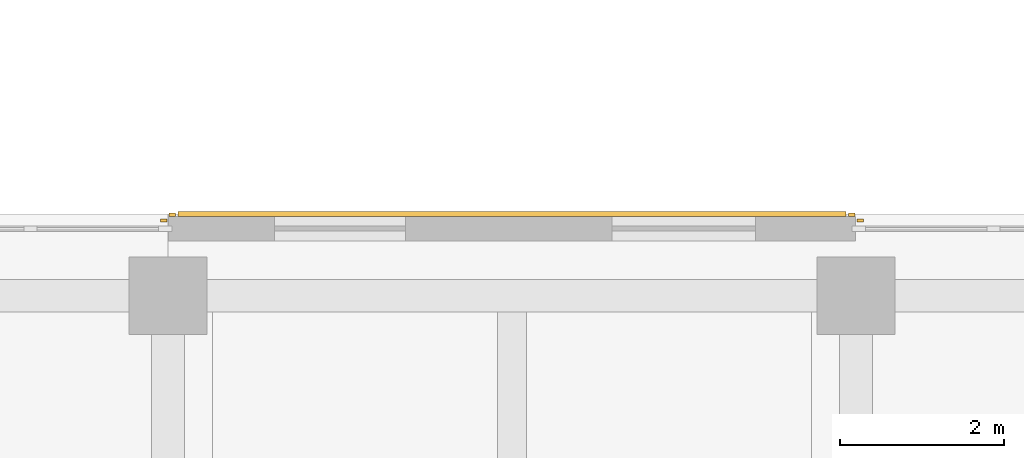
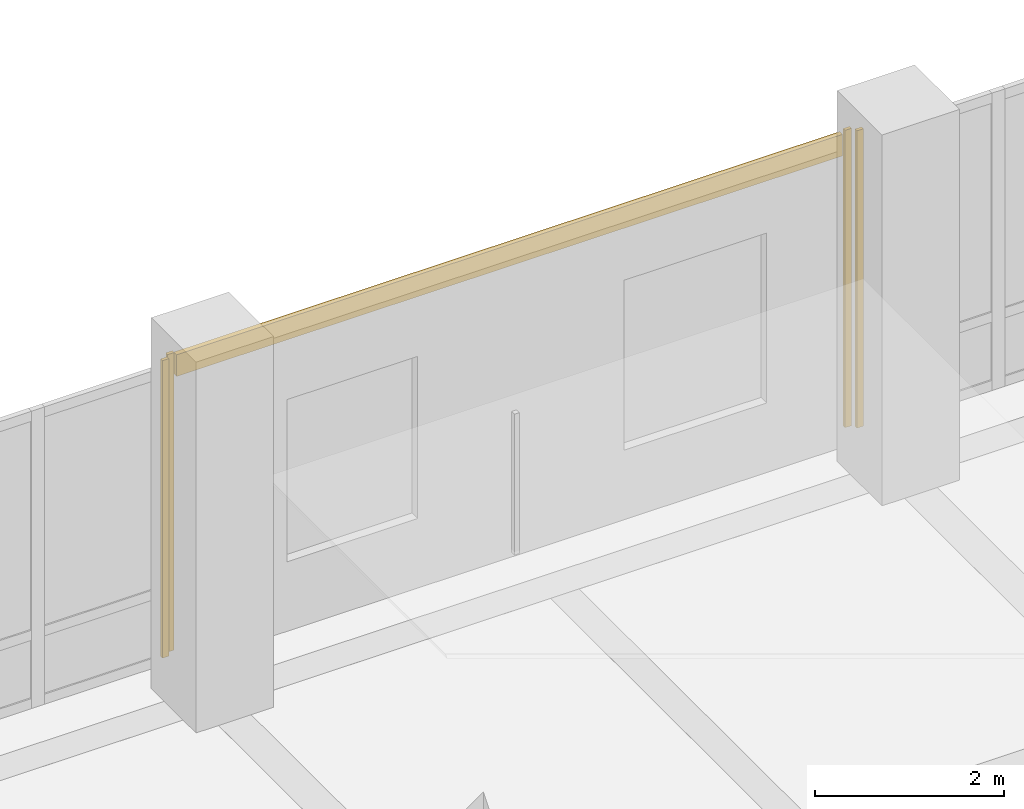
# One storey, part 114 of 128: 5 coverings.
"""IFC4 building model written with IfcOpenShell, lengths in metres."""

from ifc_helpers import new_model, si_unit, direction, frame, origin, origin_2d, place, context, subcontext, project, spatial, rectangle, extrude, material, layer, layer_set, type_object, element, save


model = new_model("IFC4")

# Units and contexts
model_context = context("Model", 3, precision=1e-05, world=origin(), true_north=direction((0.0, 1.0)))
body_context = subcontext(model_context, "Body", "Model", "MODEL_VIEW")
ifc_project = project(units=[si_unit("LENGTHUNIT", "METRE"), si_unit("AREAUNIT", "SQUARE_METRE"), si_unit("VOLUMEUNIT", "CUBIC_METRE"), si_unit("PLANEANGLEUNIT", "RADIAN"), si_unit("MASSUNIT", "GRAM", prefix="KILO")], contexts=[model_context])

# Site, building, storey
site_placement = place(None, origin())
site = spatial("IfcSite", under=ifc_project, at=site_placement, CompositionType="ELEMENT")
building_placement = place(site_placement, origin())
building = spatial("IfcBuilding", under=site, at=building_placement, Name="Telukmera Botanical Conservatory", CompositionType="ELEMENT")
storey_placement = place(building_placement, frame((0.0, 0.0, 5.39990234375)))
storey = spatial("IfcBuildingStorey", under=building, at=storey_placement, Name="L01", CompositionType="ELEMENT", Elevation=5.39990234375)

# Coverings
ifc_material_1 = material(Name="Granite-faced precast concrete C40/50", Category="masonry")
ifc_layer_1 = layer(ifc_material_1, 0.0400390625)
ifc_layer_set_1 = layer_set([ifc_layer_1], Name="Granite-faced precast concrete C40/50")
covering_type_1 = type_object("IfcCoveringType", Name="Granite Precast Column Pier Reveal Casing", PredefinedType="CLADDING", material=ifc_layer_set_1)
for number, where, z_axis, x_axis, name in (
    (1, (75.548095703125, 49.1201171875, 0.0), (0.0, 0.0, 1.0), (1.0, 0.0, 0.0), "Granite Pier Reveal V4:L01:N3 R"),
    (2, (75.652099609375, 49.18994140625, 0.0), (0.0, 0.0, 1.0), (1.0, 0.0, 0.0), "Granite Pier Reveal V4:L01:N4 L"),
    (3, (83.947998046875, 49.18994140625, 0.0), (0.0, 0.0, 1.0), (1.0, 0.0, 0.0), "Granite Pier Reveal V4:L01:N4 R"),
    (4, (84.052001953125, 49.1201171875, 0.0), (0.0, 0.0, 1.0), (1.0, 0.0, 0.0), "Granite Pier Reveal V4:L01:N5 L"),
):
    element("IfcCovering", number, at=place(storey_placement, frame(where, z_axis=z_axis, x_axis=x_axis)), inside=storey, type_object=covering_type_1, Name=name, PredefinedType="CLADDING", context=body_context, shape_type="SweptSolid", body=[
        extrude(rectangle(XDim=0.080078125, YDim=0.0400390625, at=origin_2d()), origin(), (0.0, 0.0, 1.0), 3.85009765625),
    ])
ifc_material_2 = material(Name="Terracotta-faced precast concrete C40/50", Category="masonry")
ifc_layer_2 = layer(ifc_material_2, 0.06005859375)
ifc_layer_set_2 = layer_set([ifc_layer_2], Name="Terracotta-faced precast concrete C40/50")
covering_type_2 = type_object("IfcCoveringType", Name="Polychrome Terracotta Facade Band Cladding", PredefinedType="CLADDING", material=ifc_layer_set_2)
covering_placement = place(storey_placement, frame((79.800048828125, 49.199951171875, 3.5302734375), z_axis=(0.0, 0.0, 1.0), x_axis=(1.0, 0.0, 0.0)))
element("IfcCovering", 5, at=covering_placement, inside=storey, type_object=covering_type_2, Name="Polychrome Terracotta Band V4:L01:N4", PredefinedType="CLADDING", context=body_context, shape_type="SweptSolid", body=[
    extrude(rectangle(XDim=8.156005859375, YDim=0.06005859375, at=origin_2d()), origin(), (0.0, 0.0, 1.0), 0.280029296875),
])

save(model, "model.ifc")
